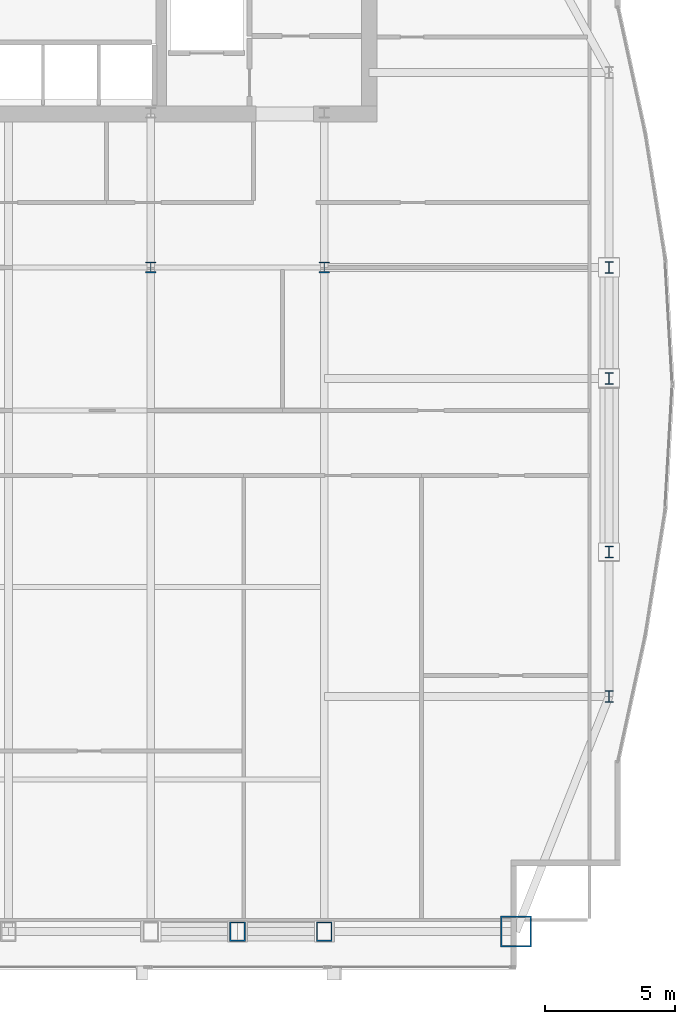
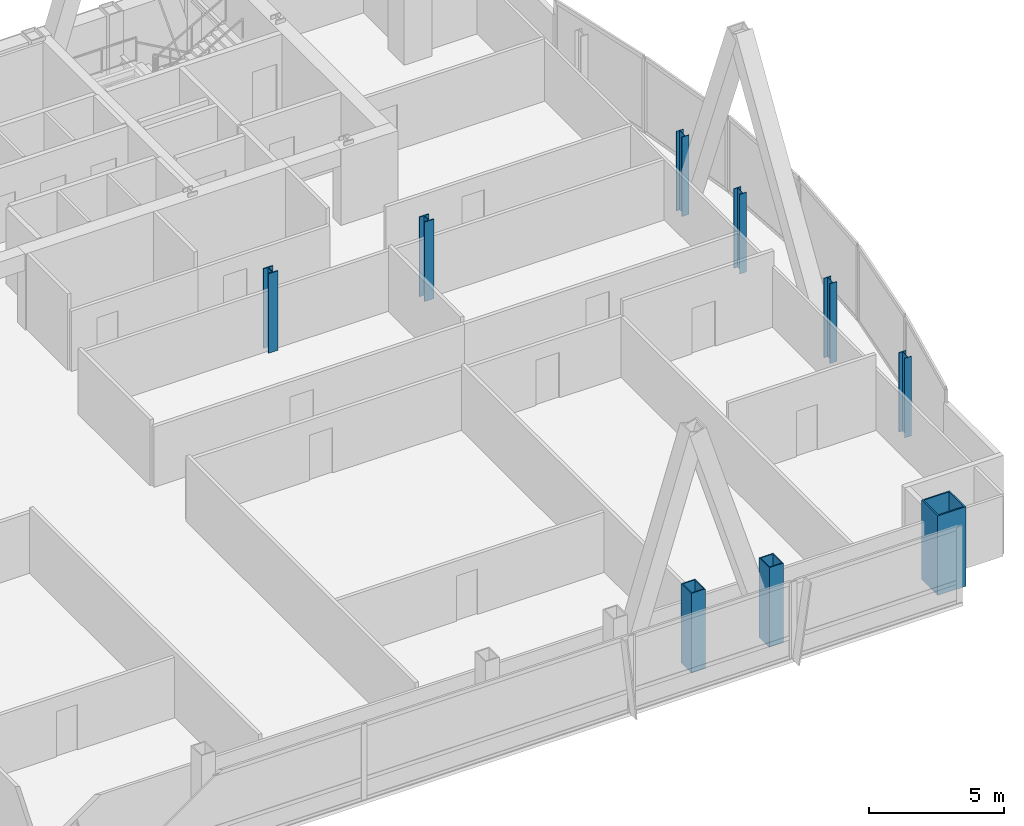
# One storey, part 2 of 33: 9 columns.
"""IFC4 building model written with IfcOpenShell, lengths in metres."""

from ifc_helpers import new_model, si_unit, direction, frame, origin, origin_2d, place, context, subcontext, project, spatial, hollow_rectangle, i_section, extrude, material, material_profile, profile_set, type_object, element, save


model = new_model("IFC4")

# Units and contexts
model_context = context("Model", 3, precision=1e-05, world=origin(), true_north=direction((0.0, 1.0)))
body_context = subcontext(model_context, "Body", "Model", "MODEL_VIEW")
ifc_project = project(units=[si_unit("LENGTHUNIT", "METRE"), si_unit("AREAUNIT", "SQUARE_METRE"), si_unit("VOLUMEUNIT", "CUBIC_METRE"), si_unit("PLANEANGLEUNIT", "RADIAN"), si_unit("MASSUNIT", "GRAM", prefix="KILO")], contexts=[model_context])

# Site, building, storey
site_placement = place(None, origin())
site = spatial("IfcSite", under=ifc_project, at=site_placement, CompositionType="ELEMENT")
building_placement = place(site_placement, origin())
building = spatial("IfcBuilding", under=site, at=building_placement, Name="Khoronbel Lancet Exchange", CompositionType="ELEMENT")
storey_placement = place(building_placement, frame((0.0, 0.0, 210.199951171875)))
storey = spatial("IfcBuildingStorey", under=building, at=storey_placement, Name="L53", CompositionType="ELEMENT", Elevation=210.199951171875)

# Columns
ifc_material_1 = material(Name="Steel S460", Category="steel")
ifc_material_profile_1 = material_profile(ifc_material_1, hollow_rectangle(XDim=0.60009765625, YDim=0.75, WallThickness=0.044921875, at=origin_2d()), Name="BOX 750x600x45")
ifc_profile_set_1 = profile_set([ifc_material_profile_1], Name="Steel S460")
column_type_1 = type_object("IfcColumnType", Name="COL-EC3", PredefinedType="COLUMN", material=ifc_profile_set_1)
for number, where, z_axis, x_axis, name in (
    (1, (51.33740234375, 10.14990234375, 0.0), (0.0, 0.0, 1.0), (1.0, 0.0, 0.0), "Structural column SC-EM L53"),
    (2, (54.675048828125, 10.14990234375, 0.0), (0.0, 0.0, 1.0), (1.0, 0.0, 0.0), "Structural column SC-E2 L53"),
):
    element("IfcColumn", number, at=place(storey_placement, frame(where, z_axis=z_axis, x_axis=x_axis)), inside=storey, type_object=column_type_1, Name=name, PredefinedType="COLUMN", context=body_context, shape_type="SweptSolid", body=[
        extrude(hollow_rectangle(XDim=0.60009765625, YDim=0.75, WallThickness=0.044921875, at=origin_2d()), origin(), (0.0, 0.0, 1.0), 3.60009765625),
    ])
ifc_material_2 = material(Name="Steel S355", Category="steel")
ifc_material_profile_2 = material_profile(ifc_material_2, i_section(OverallWidth=0.406005859375, OverallDepth=0.416015625, WebThickness=0.02978515625, FlangeThickness=0.048095703125, at=origin_2d()), Name="HD 400x382")
ifc_profile_set_2 = profile_set([ifc_material_profile_2], Name="Steel S355")
column_type_2 = type_object("IfcColumnType", Name="COL-IC3", PredefinedType="COLUMN", material=ifc_profile_set_2)
for number, where, z_axis, x_axis, name in (
    (3, (48.0, 35.699951171875, 0.0), (0.0, 0.0, 1.0), (1.0, 0.0, 0.0), "Spine gravity column TC3 L53"),
    (4, (54.675048828125, 35.699951171875, 0.0), (0.0, 0.0, 1.0), (1.0, 0.0, 0.0), "Spine gravity column TC4 L53"),
):
    element("IfcColumn", number, at=place(storey_placement, frame(where, z_axis=z_axis, x_axis=x_axis)), inside=storey, type_object=column_type_2, Name=name, PredefinedType="COLUMN", context=body_context, shape_type="SweptSolid", body=[
        extrude(i_section(OverallWidth=0.406005859375, OverallDepth=0.416015625, WebThickness=0.02978515625, FlangeThickness=0.048095703125, at=origin_2d()), origin(), (0.0, 0.0, 1.0), 3.60009765625),
    ])
ifc_material_profile_3 = material_profile(ifc_material_2, i_section(OverallWidth=0.300048828125, OverallDepth=0.449951171875, WebThickness=0.013916015625, FlangeThickness=0.02587890625, at=origin_2d()), Name="HEB 450")
ifc_profile_set_3 = profile_set([ifc_material_profile_3], Name="Steel S355")
column_type_3 = type_object("IfcColumnType", Name="COL-LC2", PredefinedType="COLUMN", material=ifc_profile_set_3)
for number, where, z_axis, x_axis, name in (
    (5, (65.6298828125, 19.199951171875, 0.0), (0.0, 0.0, 1.0), (1.0, 0.0, 0.0), "Structural column EC-1 L53"),
    (6, (65.6298828125, 24.75, 0.0), (0.0, 0.0, 1.0), (1.0, 0.0, 0.0), "Structural column EC-2 L53"),
    (7, (65.6298828125, 31.425048828125, 0.0), (0.0, 0.0, 1.0), (1.0, 0.0, 0.0), "Structural column EC-M L53"),
    (8, (65.6298828125, 35.699951171875, 0.0), (0.0, 0.0, 1.0), (1.0, 0.0, 0.0), "Structural column EC-3 L53"),
):
    element("IfcColumn", number, at=place(storey_placement, frame(where, z_axis=z_axis, x_axis=x_axis)), inside=storey, type_object=column_type_3, Name=name, PredefinedType="COLUMN", context=body_context, shape_type="SweptSolid", body=[
        extrude(i_section(OverallWidth=0.300048828125, OverallDepth=0.449951171875, WebThickness=0.013916015625, FlangeThickness=0.02587890625, at=origin_2d()), origin(), (0.0, 0.0, 1.0), 3.60009765625),
    ])
ifc_material_profile_4 = material_profile(ifc_material_1, hollow_rectangle(XDim=1.199951171875, YDim=1.199951171875, WallThickness=0.06005859375, at=origin_2d()), Name="BOX 1200x1200x60")
ifc_profile_set_4 = profile_set([ifc_material_profile_4], Name="Steel S460")
column_type_4 = type_object("IfcColumnType", Name="COL-MC5", PredefinedType="COLUMN", material=ifc_profile_set_4)
column_placement = place(storey_placement, frame((62.050048828125, 10.14990234375, 0.0), z_axis=(0.0, 0.0, 1.0), x_axis=(1.0, 0.0, 0.0)))
element("IfcColumn", 9, at=column_placement, inside=storey, type_object=column_type_4, Name="Structural column MC-SE L53", PredefinedType="COLUMN", context=body_context, shape_type="SweptSolid", body=[
    extrude(hollow_rectangle(XDim=1.199951171875, YDim=1.199951171875, WallThickness=0.06005859375, at=origin_2d()), origin(), (0.0, 0.0, 1.0), 3.60009765625),
])

save(model, "model.ifc")
